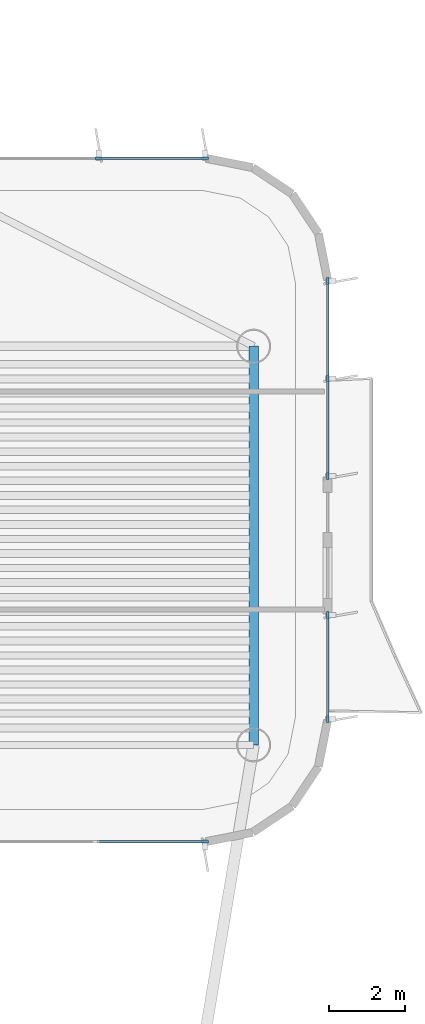
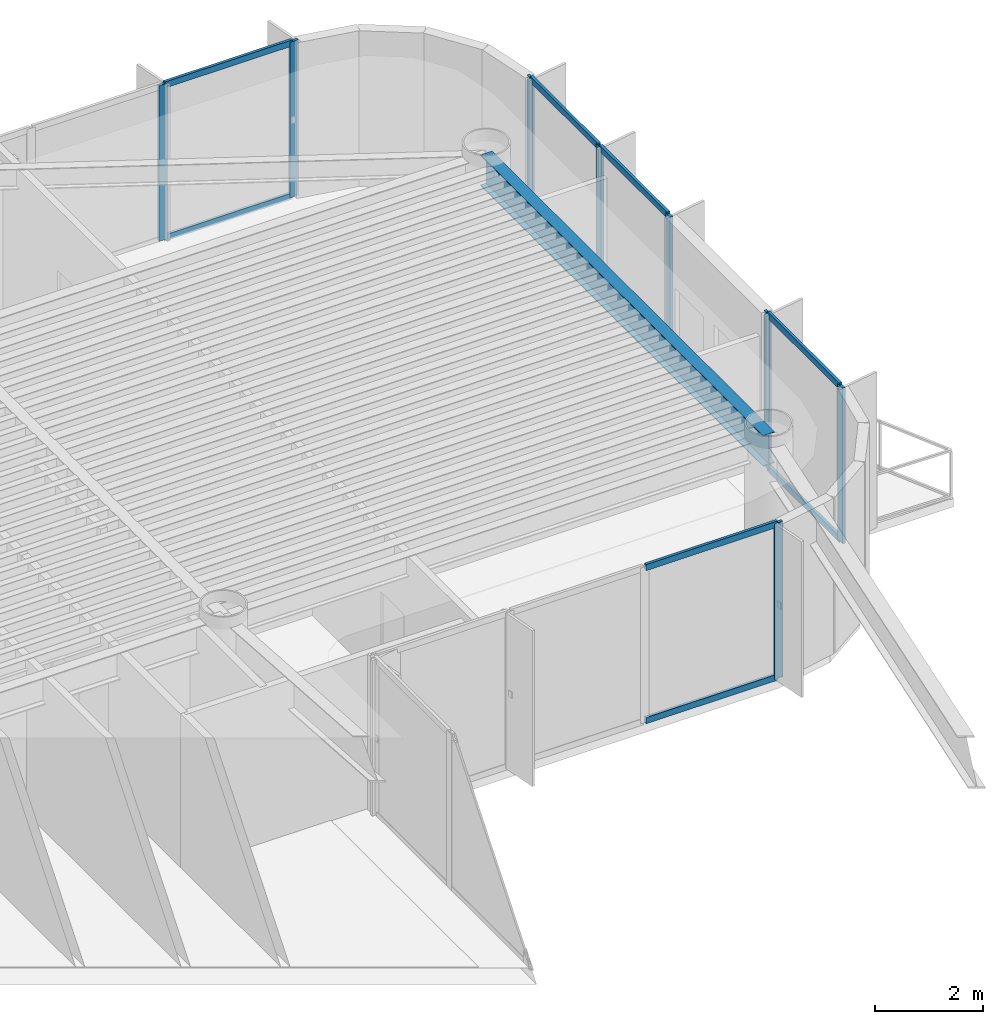
# One storey, part 8 of 16: 18 members, 1 beam, 4 elements without a shape of their own.
"""IFC4 building model written with IfcOpenShell, lengths in metres."""

from ifc_helpers import new_model, si_unit, direction, frame, origin, origin_2d, place, context, subcontext, project, spatial, rectangle, i_section, extrude, source, transform, mapped, material, layer, layer_set, material_profile, profile_set, type_object, element, aggregate, save


model = new_model("IFC4")

# Units and contexts
model_context = context("Model", 3, precision=1e-05, world=origin(), true_north=direction((0.0, 1.0)))
body_context = subcontext(model_context, "Body", "Model", "MODEL_VIEW")
ifc_project = project(units=[si_unit("LENGTHUNIT", "METRE"), si_unit("AREAUNIT", "SQUARE_METRE"), si_unit("VOLUMEUNIT", "CUBIC_METRE"), si_unit("PLANEANGLEUNIT", "RADIAN"), si_unit("MASSUNIT", "GRAM", prefix="KILO")], contexts=[model_context])

# Site, building, storey
site_placement = place(None, origin())
site = spatial("IfcSite", under=ifc_project, at=site_placement, CompositionType="ELEMENT")
building_placement = place(site_placement, origin())
building = spatial("IfcBuilding", under=site, at=building_placement, Name="Brelvock Crest Care Tower", CompositionType="ELEMENT")
storey_placement = place(building_placement, frame((0.0, 0.0, 238.139892578125)))
storey = spatial("IfcBuildingStorey", under=building, at=storey_placement, Name="L60", CompositionType="ELEMENT", Elevation=238.139892578125)

# Beam
ifc_material_1 = material(Name="Steel Grade 350", Category="steel")
ifc_material_profile_1 = material_profile(ifc_material_1, i_section(OverallWidth=0.25, OverallDepth=0.699951171875, WebThickness=0.011962890625, FlangeThickness=0.02001953125, at=origin_2d()), Name="700WB150")
ifc_profile_set_1 = profile_set([ifc_material_profile_1], Name="Steel Grade 350")
beam_type = type_object("IfcBeamType", Name="BM-G4", PredefinedType="BEAM", material=ifc_profile_set_1)
shared_shape_1 = source(origin(), body_context, "Body", "SweptSolid", [
    extrude(i_section(OverallWidth=0.25, OverallDepth=0.699951171875, WebThickness=0.011962890625, FlangeThickness=0.02001953125, at=origin_2d()), origin(), (0.0, 0.0, 1.0), 10.5),
])
beam_placement = place(storey_placement, frame((52.35009765625, 43.949951171875, 3.18017578125), z_axis=(0.0, 1.0, 0.0), x_axis=(-1.0, 0.0, 0.0)))
element("IfcBeam", 1, at=beam_placement, inside=storey, type_object=beam_type, Name="BM-TWR-L60-02", PredefinedType="BEAM", context=body_context, shape_type="MappedRepresentation", body=[
    mapped(shared_shape_1, transform((0.0, 0.0, 0.0), x_axis=(1.0, 0.0, 0.0), y_axis=(0.0, 1.0, 0.0), z_axis=(0.0, 0.0, 1.0), scale=1.0)),
])

# Curtain wall, members
ifc_material_2 = material(Name="Dark Glass Double Glazed Low-E", Category="glass")
ifc_layer = layer(ifc_material_2, 0.239990234375, Name="CWS-5")
ifc_layer_set = layer_set([ifc_layer], Name="Dark Glass Double Glazed Low-E")
curtain_wall_type = type_object("IfcCurtainWallType", Name="CWS-5", PredefinedType="NOTDEFINED", material=ifc_layer_set)
curtain_wall_1_placement = place(storey_placement, origin())
curtain_wall_1 = element("IfcCurtainWall", 2, at=curtain_wall_1_placement, inside=storey, type_object=curtain_wall_type, Name="L60 Curtain Wall E34", PredefinedType="NOTDEFINED")
ifc_material_3 = material(Name="Aluminium 6063-T6", Category="aluminium")
ifc_material_profile_2 = material_profile(ifc_material_3, rectangle(XDim=0.06005859375, YDim=0.179931640625, at=origin_2d()), Name="ALU60x180")
ifc_profile_set_2 = profile_set([ifc_material_profile_2], Name="Aluminium 6063-T6")
member_type_1 = type_object("IfcMemberType", Name="CWM-2", PredefinedType="MULLION", material=ifc_profile_set_2)
shared_shape_2 = source(origin(), body_context, "Body", "SweptSolid", [
    extrude(rectangle(XDim=0.06005859375, YDim=0.179931640625, at=origin_2d()), origin(), (0.0, 0.0, 1.0), 3.530029296875),
])
member_1_placement = place(storey_placement, frame((48.2666015625, 59.39990234375, 0.0), z_axis=(0.0, 0.0, 1.0), x_axis=(0.0, 1.0, 0.0)))
member_1 = element("IfcMember", 3, at=member_1_placement, type_object=member_type_1, Name="CW-5 mullion 3", PredefinedType="MULLION", context=body_context, shape_type="MappedRepresentation", body=[
    mapped(shared_shape_2, transform((0.0, 0.0, 0.0), x_axis=(1.0, 0.0, 0.0), y_axis=(0.0, 1.0, 0.0), z_axis=(0.0, 0.0, 1.0), scale=1.0)),
])
member_2_placement = place(storey_placement, frame((51.070068359375, 59.39990234375, 0.0), z_axis=(0.0, 0.0, 1.0), x_axis=(0.0, 1.0, 0.0)))
member_2 = element("IfcMember", 4, at=member_2_placement, type_object=member_type_1, Name="CW-5 mullion 4", PredefinedType="MULLION", context=body_context, shape_type="MappedRepresentation", body=[
    mapped(shared_shape_2, transform((0.0, 0.0, 0.0), x_axis=(1.0, 0.0, 0.0), y_axis=(0.0, 1.0, 0.0), z_axis=(0.0, 0.0, 1.0), scale=1.0)),
])

curtain_wall_2_placement = place(storey_placement, origin())
curtain_wall_2 = element("IfcCurtainWall", 5, at=curtain_wall_2_placement, inside=storey, type_object=curtain_wall_type, Name="L60 Curtain Wall E39A", PredefinedType="NOTDEFINED")
member_3_placement = place(storey_placement, frame((54.300048828125, 56.169921875, 0.0), z_axis=(0.0, 0.0, 1.0), x_axis=(1.0, 0.0, 0.0)))
member_3 = element("IfcMember", 6, at=member_3_placement, type_object=member_type_1, Name="CW-5 mullion 1", PredefinedType="MULLION", context=body_context, shape_type="MappedRepresentation", body=[
    mapped(shared_shape_2, transform((0.0, 0.0, 0.0), x_axis=(1.0, 0.0, 0.0), y_axis=(0.0, 1.0, 0.0), z_axis=(0.0, 0.0, 1.0), scale=1.0)),
])
member_4_placement = place(storey_placement, frame((54.300048828125, 53.60009765625, 0.0), z_axis=(0.0, 0.0, 1.0), x_axis=(1.0, 0.0, 0.0)))
member_4 = element("IfcMember", 7, at=member_4_placement, type_object=member_type_1, Name="CW-5 mullion 2", PredefinedType="MULLION", context=body_context, shape_type="MappedRepresentation", body=[
    mapped(shared_shape_2, transform((0.0, 0.0, 0.0), x_axis=(1.0, 0.0, 0.0), y_axis=(0.0, 1.0, 0.0), z_axis=(0.0, 0.0, 1.0), scale=1.0)),
])
member_5_placement = place(storey_placement, frame((54.300048828125, 51.030029296875, 0.0), z_axis=(0.0, 0.0, 1.0), x_axis=(1.0, 0.0, 0.0)))
member_5 = element("IfcMember", 8, at=member_5_placement, type_object=member_type_1, Name="CW-5 mullion 3", PredefinedType="MULLION", context=body_context, shape_type="MappedRepresentation", body=[
    mapped(shared_shape_2, transform((0.0, 0.0, 0.0), x_axis=(1.0, 0.0, 0.0), y_axis=(0.0, 1.0, 0.0), z_axis=(0.0, 0.0, 1.0), scale=1.0)),
])

curtain_wall_3_placement = place(storey_placement, origin())
curtain_wall_3 = element("IfcCurtainWall", 9, at=curtain_wall_3_placement, inside=storey, type_object=curtain_wall_type, Name="L60 Curtain Wall E39B", PredefinedType="NOTDEFINED")
member_6_placement = place(storey_placement, frame((54.300048828125, 47.3701171875, 0.0), z_axis=(0.0, 0.0, 1.0), x_axis=(1.0, 0.0, 0.0)))
member_6 = element("IfcMember", 10, at=member_6_placement, type_object=member_type_1, Name="CW-5 mullion 1", PredefinedType="MULLION", context=body_context, shape_type="MappedRepresentation", body=[
    mapped(shared_shape_2, transform((0.0, 0.0, 0.0), x_axis=(1.0, 0.0, 0.0), y_axis=(0.0, 1.0, 0.0), z_axis=(0.0, 0.0, 1.0), scale=1.0)),
])
member_7_placement = place(storey_placement, frame((54.300048828125, 44.6298828125, 0.0), z_axis=(0.0, 0.0, 1.0), x_axis=(1.0, 0.0, 0.0)))
member_7 = element("IfcMember", 11, at=member_7_placement, type_object=member_type_1, Name="CW-5 mullion 2", PredefinedType="MULLION", context=body_context, shape_type="MappedRepresentation", body=[
    mapped(shared_shape_2, transform((0.0, 0.0, 0.0), x_axis=(1.0, 0.0, 0.0), y_axis=(0.0, 1.0, 0.0), z_axis=(0.0, 0.0, 1.0), scale=1.0)),
])

# Curtain wall, member
curtain_wall_4_placement = place(storey_placement, origin())
curtain_wall_4 = element("IfcCurtainWall", 12, at=curtain_wall_4_placement, inside=storey, type_object=curtain_wall_type, Name="L60 Curtain Wall E44", PredefinedType="NOTDEFINED")
member_8_placement = place(storey_placement, frame((51.070068359375, 41.39990234375, 0.0), z_axis=(0.0, 0.0, 1.0), x_axis=(0.0, -1.0, 0.0)))
member_8 = element("IfcMember", 13, at=member_8_placement, type_object=member_type_1, Name="CW-5 mullion 1", PredefinedType="MULLION", context=body_context, shape_type="MappedRepresentation", body=[
    mapped(shared_shape_2, transform((0.0, 0.0, 0.0), x_axis=(1.0, 0.0, 0.0), y_axis=(0.0, 1.0, 0.0), z_axis=(0.0, 0.0, 1.0), scale=1.0)),
])

# Member
ifc_material_profile_3 = material_profile(ifc_material_3, rectangle(XDim=0.06005859375, YDim=0.139892578125, at=origin_2d()), Name="ALU60x140")
ifc_profile_set_3 = profile_set([ifc_material_profile_3], Name="Aluminium 6063-T6")
member_type_2 = type_object("IfcMemberType", Name="CWT-2", PredefinedType="USERDEFINED", material=ifc_profile_set_3)
shared_shape_3 = source(origin(), body_context, "Body", "SweptSolid", [
    extrude(rectangle(XDim=0.06005859375, YDim=0.139892578125, at=origin_2d()), origin(), (0.0, 0.0, 1.0), 2.510009765625),
])
member_9_placement = place(storey_placement, frame((54.300048828125, 56.139892578125, 0.030029296875), z_axis=(0.0, -1.0, 0.0), x_axis=(1.0, 0.0, 0.0)))
member_9 = element("IfcMember", 14, at=member_9_placement, type_object=member_type_2, Name="CW-5 transom 1.1", ObjectType="TRANSOM", PredefinedType="USERDEFINED", context=body_context, shape_type="MappedRepresentation", body=[
    mapped(shared_shape_3, transform((0.0, 0.0, 0.0), x_axis=(1.0, 0.0, 0.0), y_axis=(0.0, 1.0, 0.0), z_axis=(0.0, 0.0, 1.0), scale=1.0)),
])

member_10_placement = place(storey_placement, frame((54.300048828125, 56.139892578125, 3.5), z_axis=(0.0, -1.0, 0.0), x_axis=(1.0, 0.0, 0.0)))
member_10 = element("IfcMember", 15, at=member_10_placement, type_object=member_type_2, Name="CW-5 transom 1.2", ObjectType="TRANSOM", PredefinedType="USERDEFINED", context=body_context, shape_type="MappedRepresentation", body=[
    mapped(shared_shape_3, transform((0.0, 0.0, 0.0), x_axis=(1.0, 0.0, 0.0), y_axis=(0.0, 1.0, 0.0), z_axis=(0.0, 0.0, 1.0), scale=1.0)),
])

member_11_placement = place(storey_placement, frame((54.300048828125, 53.570068359375, 0.030029296875), z_axis=(0.0, -1.0, 0.0), x_axis=(1.0, 0.0, 0.0)))
member_11 = element("IfcMember", 16, at=member_11_placement, type_object=member_type_2, Name="CW-5 transom 2.1", ObjectType="TRANSOM", PredefinedType="USERDEFINED", context=body_context, shape_type="MappedRepresentation", body=[
    mapped(shared_shape_3, transform((0.0, 0.0, 0.0), x_axis=(1.0, 0.0, 0.0), y_axis=(0.0, 1.0, 0.0), z_axis=(0.0, 0.0, 1.0), scale=1.0)),
])

member_12_placement = place(storey_placement, frame((54.300048828125, 53.570068359375, 3.5), z_axis=(0.0, -1.0, 0.0), x_axis=(1.0, 0.0, 0.0)))
member_12 = element("IfcMember", 17, at=member_12_placement, type_object=member_type_2, Name="CW-5 transom 2.2", ObjectType="TRANSOM", PredefinedType="USERDEFINED", context=body_context, shape_type="MappedRepresentation", body=[
    mapped(shared_shape_3, transform((0.0, 0.0, 0.0), x_axis=(1.0, 0.0, 0.0), y_axis=(0.0, 1.0, 0.0), z_axis=(0.0, 0.0, 1.0), scale=1.0)),
])

aggregate(curtain_wall_2, [member_3, member_4, member_5, member_9, member_10, member_11, member_12])

shared_shape_4 = source(origin(), body_context, "Body", "SweptSolid", [
    extrude(rectangle(XDim=0.06005859375, YDim=0.139892578125, at=origin_2d()), origin(), (0.0, 0.0, 1.0), 2.81005859375),
])
member_13_placement = place(storey_placement, frame((51.0400390625, 41.39990234375, 0.030029296875), z_axis=(-1.0, 0.0, 0.0), x_axis=(0.0, -1.0, 0.0)))
member_13 = element("IfcMember", 18, at=member_13_placement, type_object=member_type_2, Name="CW-5 transom 1.1", ObjectType="TRANSOM", PredefinedType="USERDEFINED", context=body_context, shape_type="MappedRepresentation", body=[
    mapped(shared_shape_4, transform((0.0, 0.0, 0.0), x_axis=(1.0, 0.0, 0.0), y_axis=(0.0, 1.0, 0.0), z_axis=(0.0, 0.0, 1.0), scale=1.0)),
])

member_14_placement = place(storey_placement, frame((51.0400390625, 41.39990234375, 3.5), z_axis=(-1.0, 0.0, 0.0), x_axis=(0.0, -1.0, 0.0)))
member_14 = element("IfcMember", 19, at=member_14_placement, type_object=member_type_2, Name="CW-5 transom 1.2", ObjectType="TRANSOM", PredefinedType="USERDEFINED", context=body_context, shape_type="MappedRepresentation", body=[
    mapped(shared_shape_4, transform((0.0, 0.0, 0.0), x_axis=(1.0, 0.0, 0.0), y_axis=(0.0, 1.0, 0.0), z_axis=(0.0, 0.0, 1.0), scale=1.0)),
])

aggregate(curtain_wall_4, [member_8, member_13, member_14])

shared_shape_5 = source(origin(), body_context, "Body", "SweptSolid", [
    extrude(rectangle(XDim=0.06005859375, YDim=0.139892578125, at=origin_2d()), origin(), (0.0, 0.0, 1.0), 2.743408203125),
])
member_15_placement = place(storey_placement, frame((48.296630859375, 59.39990234375, 0.030029296875), z_axis=(1.0, 0.0, 0.0), x_axis=(0.0, 1.0, 0.0)))
member_15 = element("IfcMember", 20, at=member_15_placement, type_object=member_type_2, Name="CW-5 transom 3.1", ObjectType="TRANSOM", PredefinedType="USERDEFINED", context=body_context, shape_type="MappedRepresentation", body=[
    mapped(shared_shape_5, transform((0.0, 0.0, 0.0), x_axis=(1.0, 0.0, 0.0), y_axis=(0.0, 1.0, 0.0), z_axis=(0.0, 0.0, 1.0), scale=1.0)),
])

member_16_placement = place(storey_placement, frame((48.296630859375, 59.39990234375, 3.5), z_axis=(1.0, 0.0, 0.0), x_axis=(0.0, 1.0, 0.0)))
member_16 = element("IfcMember", 21, at=member_16_placement, type_object=member_type_2, Name="CW-5 transom 3.2", ObjectType="TRANSOM", PredefinedType="USERDEFINED", context=body_context, shape_type="MappedRepresentation", body=[
    mapped(shared_shape_5, transform((0.0, 0.0, 0.0), x_axis=(1.0, 0.0, 0.0), y_axis=(0.0, 1.0, 0.0), z_axis=(0.0, 0.0, 1.0), scale=1.0)),
])

aggregate(curtain_wall_1, [member_1, member_2, member_15, member_16])

shared_shape_6 = source(origin(), body_context, "Body", "SweptSolid", [
    extrude(rectangle(XDim=0.06005859375, YDim=0.139892578125, at=origin_2d()), origin(), (0.0, 0.0, 1.0), 2.68017578125),
])
member_17_placement = place(storey_placement, frame((54.300048828125, 47.340087890625, 0.030029296875), z_axis=(0.0, -1.0, 0.0), x_axis=(1.0, 0.0, 0.0)))
member_17 = element("IfcMember", 22, at=member_17_placement, type_object=member_type_2, Name="CW-5 transom 1.1", ObjectType="TRANSOM", PredefinedType="USERDEFINED", context=body_context, shape_type="MappedRepresentation", body=[
    mapped(shared_shape_6, transform((0.0, 0.0, 0.0), x_axis=(1.0, 0.0, 0.0), y_axis=(0.0, 1.0, 0.0), z_axis=(0.0, 0.0, 1.0), scale=1.0)),
])

member_18_placement = place(storey_placement, frame((54.300048828125, 47.340087890625, 3.5), z_axis=(0.0, -1.0, 0.0), x_axis=(1.0, 0.0, 0.0)))
member_18 = element("IfcMember", 23, at=member_18_placement, type_object=member_type_2, Name="CW-5 transom 1.2", ObjectType="TRANSOM", PredefinedType="USERDEFINED", context=body_context, shape_type="MappedRepresentation", body=[
    mapped(shared_shape_6, transform((0.0, 0.0, 0.0), x_axis=(1.0, 0.0, 0.0), y_axis=(0.0, 1.0, 0.0), z_axis=(0.0, 0.0, 1.0), scale=1.0)),
])

aggregate(curtain_wall_3, [member_6, member_7, member_17, member_18])

save(model, "model.ifc")
